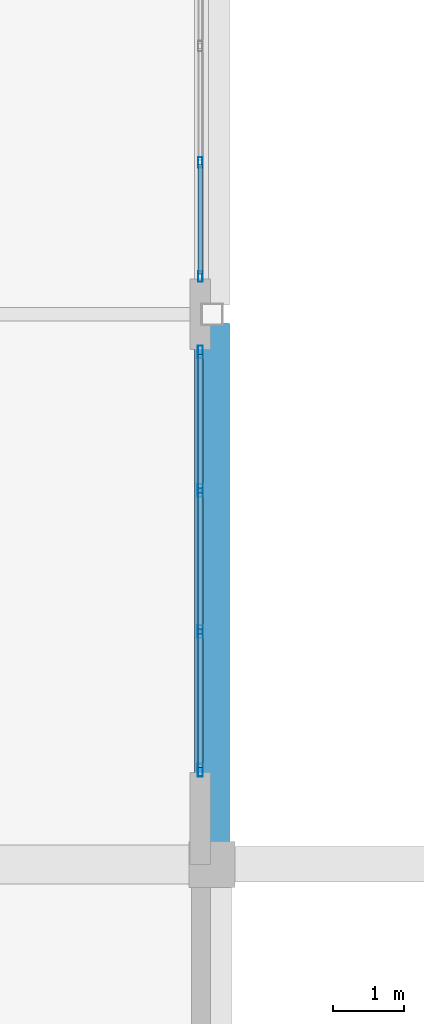
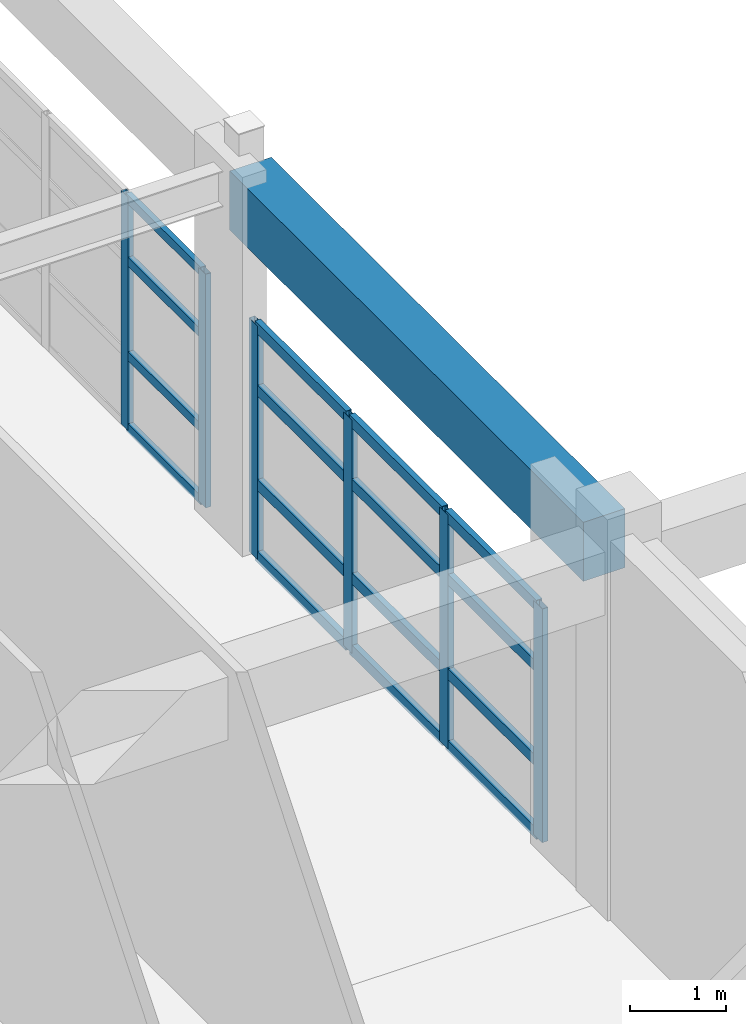
# One storey, part 13 of 103: 22 members, 1 beam, 2 elements without a shape of their own.
"""IFC4 building model written with IfcOpenShell, lengths in metres."""

import ifcopenshell
import ifcopenshell.guid

model = None  # the IFC model being written
_history = None  # IfcOwnerHistory: only IFC2X3 demands one
_inside = {}  # id of a spatial element -> (the spatial element, [elements in it])
_under = {}  # id of a project, library or spatial element -> (it, [spatial elements below it])
_declared = {}  # id of a project -> (the project, [libraries it declares])
_typed = {}  # id of a type object -> (the type object, [elements of that type])
_made_of = {}  # id of a material, layer set ... -> (it, [elements and type objects made of it])


def new_model(schema):
    """Start an empty IFC model of exactly this schema.

    Asked for "IFC4X3", IfcOpenShell would pick the latest addendum, in which some entities
    have other attributes; the version numbers below select the first issue.
    IFC2X3 requires an IfcOwnerHistory on every rooted entity: one is made here for all.
    """
    global model, _history
    if schema == "IFC4X3":
        model = ifcopenshell.file(schema_version=(4, 3, 0, 0))
    else:
        model = ifcopenshell.file(schema=schema)
    _inside.clear()
    _under.clear()
    _declared.clear()
    _typed.clear()
    _made_of.clear()
    _history = None
    if model.schema == "IFC2X3":
        org = make("IfcOrganization", Name="unknown")
        user = make(
            "IfcPersonAndOrganization",
            ThePerson=make("IfcPerson", FamilyName="unknown"),
            TheOrganization=org,
        )
        app = make(
            "IfcApplication",
            ApplicationDeveloper=org,
            Version="unknown",
            ApplicationFullName="unknown",
            ApplicationIdentifier="unknown",
        )
        _history = make(
            "IfcOwnerHistory",
            OwningUser=user,
            OwningApplication=app,
            ChangeAction="ADDED",
            CreationDate=0,
        )
    return model


def make(cls, **values):
    """One entity of the class cls with the attributes given. An attribute that is None is left unset."""
    return model.create_entity(
        cls, **{name: value for name, value in values.items() if value is not None}
    )


def rooted(cls, **values):
    """An entity with a GlobalId (a new one), such as an element, a storey or a relation."""
    return make(cls, GlobalId=ifcopenshell.guid.new(), OwnerHistory=_history, **values)


def si_unit(unit_type, name, prefix=None):
    """IfcSIUnit, for example si_unit("LENGTHUNIT", "METRE", prefix="MILLI")."""
    return make("IfcSIUnit", UnitType=unit_type, Prefix=prefix, Name=name)


def assignment(units):
    """IfcUnitAssignment: the units of a project."""
    return None if units is None else make("IfcUnitAssignment", Units=units)


def point(xyz):
    """IfcCartesianPoint."""
    return None if xyz is None else make("IfcCartesianPoint", Coordinates=xyz)


def direction(xyz):
    """IfcDirection."""
    return None if xyz is None else make("IfcDirection", DirectionRatios=xyz)


def frame(location, z_axis=None, x_axis=None):
    """IfcAxis2Placement3D, a coordinate frame: its origin and axes. An axis left out is left unset."""
    return make(
        "IfcAxis2Placement3D",
        Location=point(location),
        Axis=direction(z_axis),
        RefDirection=direction(x_axis),
    )


def frame_2d(location, x_axis=None):
    """IfcAxis2Placement2D, a coordinate frame in the plane: its origin and x axis."""
    return make(
        "IfcAxis2Placement2D", Location=point(location), RefDirection=direction(x_axis)
    )


def origin():
    """The frame at (0, 0, 0) with its axes left unset."""
    return frame((0.0, 0.0, 0.0))


def origin_2d():
    """The frame at (0, 0) in the plane with its x axis left unset."""
    return frame_2d((0.0, 0.0))


def place(relative_to, where):
    """IfcLocalPlacement: puts the frame where relative to a parent placement (None: the world)."""
    return make(
        "IfcLocalPlacement", PlacementRelTo=relative_to, RelativePlacement=where
    )


def context(
    kind, dimensions, precision=None, world=None, true_north=None, identifier=None
):
    """IfcGeometricRepresentationContext, for example the 3D "Model" context."""
    return make(
        "IfcGeometricRepresentationContext",
        ContextIdentifier=identifier,
        ContextType=kind,
        CoordinateSpaceDimension=dimensions,
        Precision=precision,
        WorldCoordinateSystem=world,
        TrueNorth=true_north,
    )


def subcontext(parent, identifier, kind, view, scale=None):
    """IfcGeometricRepresentationSubContext, for example "Body" below "Model"."""
    return make(
        "IfcGeometricRepresentationSubContext",
        ContextIdentifier=identifier,
        ContextType=kind,
        ParentContext=parent,
        TargetScale=scale,
        TargetView=view,
    )


def project(units=None, contexts=None):
    """IfcProject with its units and contexts."""
    return rooted(
        "IfcProject",
        Name="project",
        RepresentationContexts=contexts,
        UnitsInContext=assignment(units),
    )


def spatial(cls, under=None, at=None, **own):
    """A site, building, storey or space (cls), placed at a placement, below another one or the project."""
    s = rooted(cls, ObjectPlacement=at, **own)
    if under is not None:
        _under.setdefault(under.id(), (under, []))[1].append(s)
    return s


def profile(cls, at=None, kind="AREA", **sizes):
    """A parametric profile (cls). Its sizes go by their IFC names, for example OverallWidth=200.0."""
    return make(cls, ProfileType=kind, Position=at, **sizes)


def rectangle(**sizes):
    """IfcRectangleProfileDef."""
    return profile("IfcRectangleProfileDef", **sizes)


def hollow_rectangle(**sizes):
    """IfcRectangleHollowProfileDef."""
    return profile("IfcRectangleHollowProfileDef", **sizes)


def extrude(swept, where, along, depth):
    """IfcExtrudedAreaSolid: the profile swept, set in the frame where, extruded along a direction by depth."""
    return make(
        "IfcExtrudedAreaSolid",
        SweptArea=swept,
        Position=where,
        ExtrudedDirection=direction(along),
        Depth=depth,
    )


def shape(context_of_items, identifier, shape_type, items):
    """IfcShapeRepresentation: the items that make up one representation, for example the "Body"."""
    return make(
        "IfcShapeRepresentation",
        ContextOfItems=context_of_items,
        RepresentationIdentifier=identifier,
        RepresentationType=shape_type,
        Items=items,
    )


def material(Name=None, Category=None):
    """IfcMaterial."""
    return make("IfcMaterial", Name=Name, Category=Category)


def layer(
    of_material, thickness, ventilated=None, Name=None, Category=None, Priority=None
):
    """IfcMaterialLayer: one layer of a wall or slab, of a material (None: an air gap)."""
    return make(
        "IfcMaterialLayer",
        Material=of_material,
        LayerThickness=thickness,
        IsVentilated=ventilated,
        Name=Name,
        Category=Category,
        Priority=Priority,
    )


def layer_set(layers, Name=None):
    """IfcMaterialLayerSet."""
    return make("IfcMaterialLayerSet", MaterialLayers=layers, LayerSetName=Name)


def material_profile(
    of_material, cross_section, Name=None, Category=None, Priority=None
):
    """IfcMaterialProfile: a cross section and its material."""
    return make(
        "IfcMaterialProfile",
        Name=Name,
        Material=of_material,
        Profile=cross_section,
        Priority=Priority,
        Category=Category,
    )


def profile_set(profiles, Name=None, composite=None):
    """IfcMaterialProfileSet."""
    return make(
        "IfcMaterialProfileSet",
        Name=Name,
        MaterialProfiles=profiles,
        CompositeProfile=composite,
    )


def made_of(thing, what):
    """Note that an element or type object is made of a material, layer set ...; save() writes the relation."""
    if what is not None:
        _made_of.setdefault(what.id(), (what, []))[1].append(thing)
    return thing


def type_object(cls, material=None, **own):
    """A type object (cls), such as IfcWallType, which elements share."""
    return made_of(rooted(cls, **own), material)


def element(
    cls,
    number,
    at=None,
    inside=None,
    cuts=None,
    type_object=None,
    material=None,
    context=None,
    identifier="Body",
    shape_type=None,
    held_by="IfcProductDefinitionShape",
    body=None,
    shapes=None,
    **own,
):
    """One element of the class cls, such as IfcWall. Its Tag is "e" and its number.

    at: its placement. inside: the storey or other place that contains it. cuts: it is an
    opening in that element (IfcRelVoidsElement). A single representation is given by context,
    identifier, shape_type and body (its items); several are given by shapes. held_by: the class
    of the entity that holds the representations. save() writes the other relations.
    """
    e = rooted(cls, Tag="e%d" % number, ObjectPlacement=at, **own)
    if body is not None:
        shapes = [shape(context, identifier, shape_type, body)]
    if shapes is not None:
        e.Representation = make(held_by, Representations=shapes)
    if inside is not None:
        _inside.setdefault(inside.id(), (inside, []))[1].append(e)
    if cuts is not None:
        rooted(
            "IfcRelVoidsElement", RelatingBuildingElement=cuts, RelatedOpeningElement=e
        )
    if type_object is not None:
        _typed.setdefault(type_object.id(), (type_object, []))[1].append(e)
    return made_of(e, material)


def aggregate(whole, parts):
    """IfcRelAggregates: a whole, such as a stair, and the parts it consists of."""
    return rooted("IfcRelAggregates", RelatingObject=whole, RelatedObjects=parts)


def save(model, path):
    """Write the relations noted so far, then the file.

    IfcRelAggregates (storeys below a building ...), IfcRelContainedInSpatialStructure (elements
    in a storey), IfcRelDefinesByType, IfcRelAssociatesMaterial and IfcRelDeclares: one each for
    every whole, place, type object, material and project.
    """
    for whole, parts in _under.values():
        aggregate(whole, parts)
    for where, things in _inside.values():
        rooted(
            "IfcRelContainedInSpatialStructure",
            RelatedElements=things,
            RelatingStructure=where,
        )
    for kind, things in _typed.values():
        rooted("IfcRelDefinesByType", RelatedObjects=things, RelatingType=kind)
    for what, things in _made_of.values():
        rooted("IfcRelAssociatesMaterial", RelatedObjects=things, RelatingMaterial=what)
    for by, libraries in _declared.values():
        rooted("IfcRelDeclares", RelatingContext=by, RelatedDefinitions=libraries)
    model.write(path)


model = new_model("IFC4")

# Units and contexts
model_context = context("Model", 3, precision=1e-05, world=origin(), true_north=direction((0.0, 1.0)))
body_context = subcontext(model_context, "Body", "Model", "MODEL_VIEW")
ifc_project = project(units=[si_unit("LENGTHUNIT", "METRE"), si_unit("AREAUNIT", "SQUARE_METRE"), si_unit("VOLUMEUNIT", "CUBIC_METRE"), si_unit("PLANEANGLEUNIT", "RADIAN"), si_unit("MASSUNIT", "GRAM", prefix="KILO")], contexts=[model_context])

# Site, building, storey
site_placement = place(None, origin())
site = spatial("IfcSite", under=ifc_project, at=site_placement, CompositionType="ELEMENT")
building_placement = place(site_placement, origin())
building = spatial("IfcBuilding", under=site, at=building_placement, Name="Quendrovan Civic Courthouse", CompositionType="ELEMENT")
storey_placement = place(building_placement, frame((0.0, 0.0, 15.300048828125)))
storey = spatial("IfcBuildingStorey", under=building, at=storey_placement, Name="L04", CompositionType="ELEMENT", Elevation=15.300048828125)

# Beam
ifc_material_1 = material(Name="Concrete C40/50", Category="concrete")
ifc_material_profile_1 = material_profile(ifc_material_1, rectangle(XDim=0.5, YDim=0.75, at=origin_2d()), Name="RC-BM-500x750")
ifc_profile_set_1 = profile_set([ifc_material_profile_1], Name="Concrete C40/50")
beam_type = type_object("IfcBeamType", Name="BM-RC750", PredefinedType="SPANDREL", material=ifc_profile_set_1)
beam_placement = place(storey_placement, frame((16.800048828125, 15.905029296875, 4.284912109375), z_axis=(0.0, 1.0, 0.0), x_axis=(-1.0, 0.0, 0.0)))
element("IfcBeam", 1, at=beam_placement, inside=storey, type_object=beam_type, Name="L04 Girder Y0953", PredefinedType="SPANDREL", context=body_context, shape_type="SweptSolid", body=[
    extrude(rectangle(XDim=0.5, YDim=0.75, at=origin_2d()), origin(), (0.0, 0.0, 1.0), 7.364990234375),
])

# Curtain wall, members
ifc_material_2 = material(Name="Bronze anodised aluminium and low-E glass", Category="aluminium")
ifc_layer_1 = layer(ifc_material_2, 0.179931640625, Name="Bronze anodised aluminium and low-E glass")
ifc_layer_set_1 = layer_set([ifc_layer_1], Name="Bronze anodised aluminium and low-E glass")
curtain_wall_type_1 = type_object("IfcCurtainWallType", Name="CW-U60x30", PredefinedType="USERDEFINED", material=ifc_layer_set_1)
curtain_wall_1_placement = place(storey_placement, origin())
curtain_wall_1 = element("IfcCurtainWall", 2, at=curtain_wall_1_placement, inside=storey, type_object=curtain_wall_type_1, Name="L04 Unitised Hurricane Curtain Wall CW-154", ObjectType="UNITISED CURTAIN WALL", PredefinedType="USERDEFINED")
ifc_material_3 = material(Name="Bronze anodised aluminium", Category="aluminium")
ifc_material_profile_2 = material_profile(ifc_material_3, hollow_rectangle(XDim=0.070068359375, YDim=0.179931640625, WallThickness=0.00390625, at=origin_2d()), Name="CW-MULL-70x180")
ifc_profile_set_2 = profile_set([ifc_material_profile_2], Name="Bronze anodised aluminium")
member_type_1 = type_object("IfcMemberType", Name="CW-MULL-A", PredefinedType="MULLION", material=ifc_profile_set_2)
member_1_placement = place(storey_placement, frame((16.635009765625, 22.864990234375, 0.0), z_axis=(0.0, 0.0, 1.0), x_axis=(1.0, 0.0, 0.0)))
member_1 = element("IfcMember", 3, at=member_1_placement, type_object=member_type_1, Name="CW-154 mullion 1", PredefinedType="MULLION", context=body_context, shape_type="SweptSolid", body=[
    extrude(hollow_rectangle(XDim=0.070068359375, YDim=0.179931640625, WallThickness=0.00390625, at=origin_2d()), origin(), (0.0, 0.0, 1.0), 2.969970703125),
])
member_2_placement = place(storey_placement, frame((16.635009765625, 20.89990234375, 0.0), z_axis=(0.0, 0.0, 1.0), x_axis=(1.0, 0.0, 0.0)))
member_2 = element("IfcMember", 4, at=member_2_placement, type_object=member_type_1, Name="CW-154 mullion 2", PredefinedType="MULLION", context=body_context, shape_type="SweptSolid", body=[
    extrude(hollow_rectangle(XDim=0.070068359375, YDim=0.179931640625, WallThickness=0.00390625, at=origin_2d()), origin(), (0.0, 0.0, 1.0), 2.969970703125),
])
member_3_placement = place(storey_placement, frame((16.635009765625, 18.89990234375, 0.0), z_axis=(0.0, 0.0, 1.0), x_axis=(1.0, 0.0, 0.0)))
member_3 = element("IfcMember", 5, at=member_3_placement, type_object=member_type_1, Name="CW-154 mullion 3", PredefinedType="MULLION", context=body_context, shape_type="SweptSolid", body=[
    extrude(hollow_rectangle(XDim=0.070068359375, YDim=0.179931640625, WallThickness=0.00390625, at=origin_2d()), origin(), (0.0, 0.0, 1.0), 2.969970703125),
])
member_4_placement = place(storey_placement, frame((16.635009765625, 16.93505859375, 0.0), z_axis=(0.0, 0.0, 1.0), x_axis=(1.0, 0.0, 0.0)))
member_4 = element("IfcMember", 6, at=member_4_placement, type_object=member_type_1, Name="CW-154 mullion 4", PredefinedType="MULLION", context=body_context, shape_type="SweptSolid", body=[
    extrude(hollow_rectangle(XDim=0.070068359375, YDim=0.179931640625, WallThickness=0.00390625, at=origin_2d()), origin(), (0.0, 0.0, 1.0), 2.969970703125),
])

ifc_layer_2 = layer(ifc_material_2, 0.179931640625, Name="Bronze anodised aluminium and low-E glass")
ifc_layer_set_2 = layer_set([ifc_layer_2], Name="Bronze anodised aluminium and low-E glass")
curtain_wall_type_2 = type_object("IfcCurtainWallType", Name="CW-U66x30", PredefinedType="USERDEFINED", material=ifc_layer_set_2)
curtain_wall_2_placement = place(storey_placement, origin())
curtain_wall_2 = element("IfcCurtainWall", 7, at=curtain_wall_2_placement, inside=storey, type_object=curtain_wall_type_2, Name="L04 Unitised Hurricane Curtain Wall CW-153", ObjectType="UNITISED CURTAIN WALL", PredefinedType="USERDEFINED")
ifc_material_profile_3 = material_profile(ifc_material_3, hollow_rectangle(XDim=0.06494140625, YDim=0.14990234375, WallThickness=0.00390625, at=origin_2d()), Name="CW-MULL-65x150")
ifc_profile_set_3 = profile_set([ifc_material_profile_3], Name="Bronze anodised aluminium")
member_type_2 = type_object("IfcMemberType", Name="CW-MULL-B", PredefinedType="MULLION", material=ifc_profile_set_3)
member_5_placement = place(storey_placement, frame((16.635009765625, 25.550048828125, 0.0), z_axis=(0.0, 0.0, 1.0), x_axis=(1.0, 0.0, 0.0)))
member_5 = element("IfcMember", 8, at=member_5_placement, type_object=member_type_2, Name="CW-153 mullion 4", PredefinedType="MULLION", context=body_context, shape_type="SweptSolid", body=[
    extrude(hollow_rectangle(XDim=0.06494140625, YDim=0.14990234375, WallThickness=0.00390625, at=origin_2d()), origin(), (0.0, 0.0, 1.0), 2.969970703125),
])
member_6_placement = place(storey_placement, frame((16.635009765625, 23.9326171875, 0.0), z_axis=(0.0, 0.0, 1.0), x_axis=(1.0, 0.0, 0.0)))
member_6 = element("IfcMember", 9, at=member_6_placement, type_object=member_type_2, Name="CW-153 mullion 5", PredefinedType="MULLION", context=body_context, shape_type="SweptSolid", body=[
    extrude(hollow_rectangle(XDim=0.06494140625, YDim=0.14990234375, WallThickness=0.00390625, at=origin_2d()), origin(), (0.0, 0.0, 1.0), 2.969970703125),
])

# Member
ifc_material_profile_4 = material_profile(ifc_material_3, hollow_rectangle(XDim=0.070068359375, YDim=0.139892578125, WallThickness=0.00390625, at=origin_2d()), Name="CW-TRAN-70x140")
ifc_profile_set_4 = profile_set([ifc_material_profile_4], Name="Bronze anodised aluminium")
member_type_3 = type_object("IfcMemberType", Name="CW-TRAN-A", PredefinedType="USERDEFINED", material=ifc_profile_set_4)
member_7_placement = place(storey_placement, frame((16.635009765625, 22.830078125, 0.034912109375), z_axis=(0.0, -1.0, 0.0), x_axis=(1.0, 0.0, 0.0)))
member_7 = element("IfcMember", 10, at=member_7_placement, type_object=member_type_3, Name="CW-154 transom 1.1", ObjectType="TRANSOM", PredefinedType="USERDEFINED", context=body_context, shape_type="SweptSolid", body=[
    extrude(hollow_rectangle(XDim=0.070068359375, YDim=0.139892578125, WallThickness=0.00390625, at=origin_2d()), origin(), (0.0, 0.0, 1.0), 1.89501953125),
])

member_8_placement = place(storey_placement, frame((16.635009765625, 22.830078125, 0.949951171875), z_axis=(0.0, -1.0, 0.0), x_axis=(1.0, 0.0, 0.0)))
member_8 = element("IfcMember", 11, at=member_8_placement, type_object=member_type_3, Name="CW-154 transom 1.2", ObjectType="TRANSOM", PredefinedType="USERDEFINED", context=body_context, shape_type="SweptSolid", body=[
    extrude(hollow_rectangle(XDim=0.070068359375, YDim=0.139892578125, WallThickness=0.00390625, at=origin_2d()), origin(), (0.0, 0.0, 1.0), 1.89501953125),
])

member_9_placement = place(storey_placement, frame((16.635009765625, 22.830078125, 2.14990234375), z_axis=(0.0, -1.0, 0.0), x_axis=(1.0, 0.0, 0.0)))
member_9 = element("IfcMember", 12, at=member_9_placement, type_object=member_type_3, Name="CW-154 transom 1.3", ObjectType="TRANSOM", PredefinedType="USERDEFINED", context=body_context, shape_type="SweptSolid", body=[
    extrude(hollow_rectangle(XDim=0.070068359375, YDim=0.139892578125, WallThickness=0.00390625, at=origin_2d()), origin(), (0.0, 0.0, 1.0), 1.89501953125),
])

member_10_placement = place(storey_placement, frame((16.635009765625, 22.830078125, 2.93505859375), z_axis=(0.0, -1.0, 0.0), x_axis=(1.0, 0.0, 0.0)))
member_10 = element("IfcMember", 13, at=member_10_placement, type_object=member_type_3, Name="CW-154 transom 1.4", ObjectType="TRANSOM", PredefinedType="USERDEFINED", context=body_context, shape_type="SweptSolid", body=[
    extrude(hollow_rectangle(XDim=0.070068359375, YDim=0.139892578125, WallThickness=0.00390625, at=origin_2d()), origin(), (0.0, 0.0, 1.0), 1.89501953125),
])

member_11_placement = place(storey_placement, frame((16.635009765625, 20.864990234375, 0.034912109375), z_axis=(0.0, -1.0, 0.0), x_axis=(1.0, 0.0, 0.0)))
member_11 = element("IfcMember", 14, at=member_11_placement, type_object=member_type_3, Name="CW-154 transom 2.1", ObjectType="TRANSOM", PredefinedType="USERDEFINED", context=body_context, shape_type="SweptSolid", body=[
    extrude(hollow_rectangle(XDim=0.070068359375, YDim=0.139892578125, WallThickness=0.00390625, at=origin_2d()), origin(), (0.0, 0.0, 1.0), 1.929931640625),
])

member_12_placement = place(storey_placement, frame((16.635009765625, 20.864990234375, 0.949951171875), z_axis=(0.0, -1.0, 0.0), x_axis=(1.0, 0.0, 0.0)))
member_12 = element("IfcMember", 15, at=member_12_placement, type_object=member_type_3, Name="CW-154 transom 2.2", ObjectType="TRANSOM", PredefinedType="USERDEFINED", context=body_context, shape_type="SweptSolid", body=[
    extrude(hollow_rectangle(XDim=0.070068359375, YDim=0.139892578125, WallThickness=0.00390625, at=origin_2d()), origin(), (0.0, 0.0, 1.0), 1.929931640625),
])

member_13_placement = place(storey_placement, frame((16.635009765625, 20.864990234375, 2.14990234375), z_axis=(0.0, -1.0, 0.0), x_axis=(1.0, 0.0, 0.0)))
member_13 = element("IfcMember", 16, at=member_13_placement, type_object=member_type_3, Name="CW-154 transom 2.3", ObjectType="TRANSOM", PredefinedType="USERDEFINED", context=body_context, shape_type="SweptSolid", body=[
    extrude(hollow_rectangle(XDim=0.070068359375, YDim=0.139892578125, WallThickness=0.00390625, at=origin_2d()), origin(), (0.0, 0.0, 1.0), 1.929931640625),
])

member_14_placement = place(storey_placement, frame((16.635009765625, 20.864990234375, 2.93505859375), z_axis=(0.0, -1.0, 0.0), x_axis=(1.0, 0.0, 0.0)))
member_14 = element("IfcMember", 17, at=member_14_placement, type_object=member_type_3, Name="CW-154 transom 2.4", ObjectType="TRANSOM", PredefinedType="USERDEFINED", context=body_context, shape_type="SweptSolid", body=[
    extrude(hollow_rectangle(XDim=0.070068359375, YDim=0.139892578125, WallThickness=0.00390625, at=origin_2d()), origin(), (0.0, 0.0, 1.0), 1.929931640625),
])

member_15_placement = place(storey_placement, frame((16.635009765625, 18.864990234375, 0.034912109375), z_axis=(0.0, -1.0, 0.0), x_axis=(1.0, 0.0, 0.0)))
member_15 = element("IfcMember", 18, at=member_15_placement, type_object=member_type_3, Name="CW-154 transom 3.1", ObjectType="TRANSOM", PredefinedType="USERDEFINED", context=body_context, shape_type="SweptSolid", body=[
    extrude(hollow_rectangle(XDim=0.070068359375, YDim=0.139892578125, WallThickness=0.00390625, at=origin_2d()), origin(), (0.0, 0.0, 1.0), 1.89501953125),
])

member_16_placement = place(storey_placement, frame((16.635009765625, 18.864990234375, 0.949951171875), z_axis=(0.0, -1.0, 0.0), x_axis=(1.0, 0.0, 0.0)))
member_16 = element("IfcMember", 19, at=member_16_placement, type_object=member_type_3, Name="CW-154 transom 3.2", ObjectType="TRANSOM", PredefinedType="USERDEFINED", context=body_context, shape_type="SweptSolid", body=[
    extrude(hollow_rectangle(XDim=0.070068359375, YDim=0.139892578125, WallThickness=0.00390625, at=origin_2d()), origin(), (0.0, 0.0, 1.0), 1.89501953125),
])

member_17_placement = place(storey_placement, frame((16.635009765625, 18.864990234375, 2.14990234375), z_axis=(0.0, -1.0, 0.0), x_axis=(1.0, 0.0, 0.0)))
member_17 = element("IfcMember", 20, at=member_17_placement, type_object=member_type_3, Name="CW-154 transom 3.3", ObjectType="TRANSOM", PredefinedType="USERDEFINED", context=body_context, shape_type="SweptSolid", body=[
    extrude(hollow_rectangle(XDim=0.070068359375, YDim=0.139892578125, WallThickness=0.00390625, at=origin_2d()), origin(), (0.0, 0.0, 1.0), 1.89501953125),
])

member_18_placement = place(storey_placement, frame((16.635009765625, 18.864990234375, 2.93505859375), z_axis=(0.0, -1.0, 0.0), x_axis=(1.0, 0.0, 0.0)))
member_18 = element("IfcMember", 21, at=member_18_placement, type_object=member_type_3, Name="CW-154 transom 3.4", ObjectType="TRANSOM", PredefinedType="USERDEFINED", context=body_context, shape_type="SweptSolid", body=[
    extrude(hollow_rectangle(XDim=0.070068359375, YDim=0.139892578125, WallThickness=0.00390625, at=origin_2d()), origin(), (0.0, 0.0, 1.0), 1.89501953125),
])

aggregate(curtain_wall_1, [member_1, member_2, member_3, member_4, member_7, member_8, member_9, member_10, member_11, member_12, member_13, member_14, member_15, member_16, member_17, member_18])

ifc_material_profile_5 = material_profile(ifc_material_3, hollow_rectangle(XDim=0.06494140625, YDim=0.114990234375, WallThickness=0.00390625, at=origin_2d()), Name="CW-TRAN-65x115")
ifc_profile_set_5 = profile_set([ifc_material_profile_5], Name="Bronze anodised aluminium")
member_type_4 = type_object("IfcMemberType", Name="CW-TRAN-B", PredefinedType="USERDEFINED", material=ifc_profile_set_5)
member_19_placement = place(storey_placement, frame((16.635009765625, 25.517578125, 0.032470703125), z_axis=(0.0, -1.0, 0.0), x_axis=(1.0, 0.0, 0.0)))
member_19 = element("IfcMember", 22, at=member_19_placement, type_object=member_type_4, Name="CW-153 transom 4.1", ObjectType="TRANSOM", PredefinedType="USERDEFINED", context=body_context, shape_type="SweptSolid", body=[
    extrude(hollow_rectangle(XDim=0.06494140625, YDim=0.114990234375, WallThickness=0.00390625, at=origin_2d()), origin(), (0.0, 0.0, 1.0), 1.552490234375),
])

member_20_placement = place(storey_placement, frame((16.635009765625, 25.517578125, 0.949951171875), z_axis=(0.0, -1.0, 0.0), x_axis=(1.0, 0.0, 0.0)))
member_20 = element("IfcMember", 23, at=member_20_placement, type_object=member_type_4, Name="CW-153 transom 4.2", ObjectType="TRANSOM", PredefinedType="USERDEFINED", context=body_context, shape_type="SweptSolid", body=[
    extrude(hollow_rectangle(XDim=0.06494140625, YDim=0.114990234375, WallThickness=0.00390625, at=origin_2d()), origin(), (0.0, 0.0, 1.0), 1.552490234375),
])

member_21_placement = place(storey_placement, frame((16.635009765625, 25.517578125, 2.14990234375), z_axis=(0.0, -1.0, 0.0), x_axis=(1.0, 0.0, 0.0)))
member_21 = element("IfcMember", 24, at=member_21_placement, type_object=member_type_4, Name="CW-153 transom 4.3", ObjectType="TRANSOM", PredefinedType="USERDEFINED", context=body_context, shape_type="SweptSolid", body=[
    extrude(hollow_rectangle(XDim=0.06494140625, YDim=0.114990234375, WallThickness=0.00390625, at=origin_2d()), origin(), (0.0, 0.0, 1.0), 1.552490234375),
])

member_22_placement = place(storey_placement, frame((16.635009765625, 25.517578125, 2.9375), z_axis=(0.0, -1.0, 0.0), x_axis=(1.0, 0.0, 0.0)))
member_22 = element("IfcMember", 25, at=member_22_placement, type_object=member_type_4, Name="CW-153 transom 4.4", ObjectType="TRANSOM", PredefinedType="USERDEFINED", context=body_context, shape_type="SweptSolid", body=[
    extrude(hollow_rectangle(XDim=0.06494140625, YDim=0.114990234375, WallThickness=0.00390625, at=origin_2d()), origin(), (0.0, 0.0, 1.0), 1.552490234375),
])

aggregate(curtain_wall_2, [member_5, member_6, member_19, member_20, member_21, member_22])

save(model, "model.ifc")
